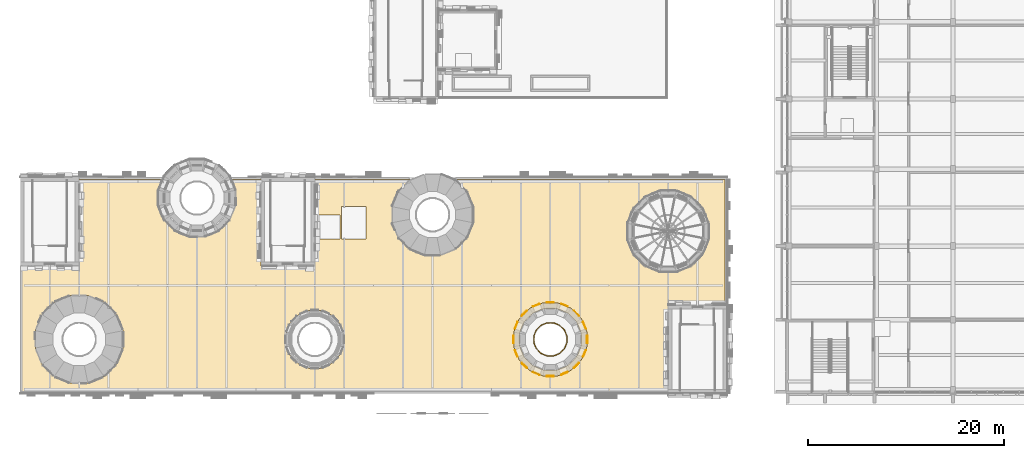
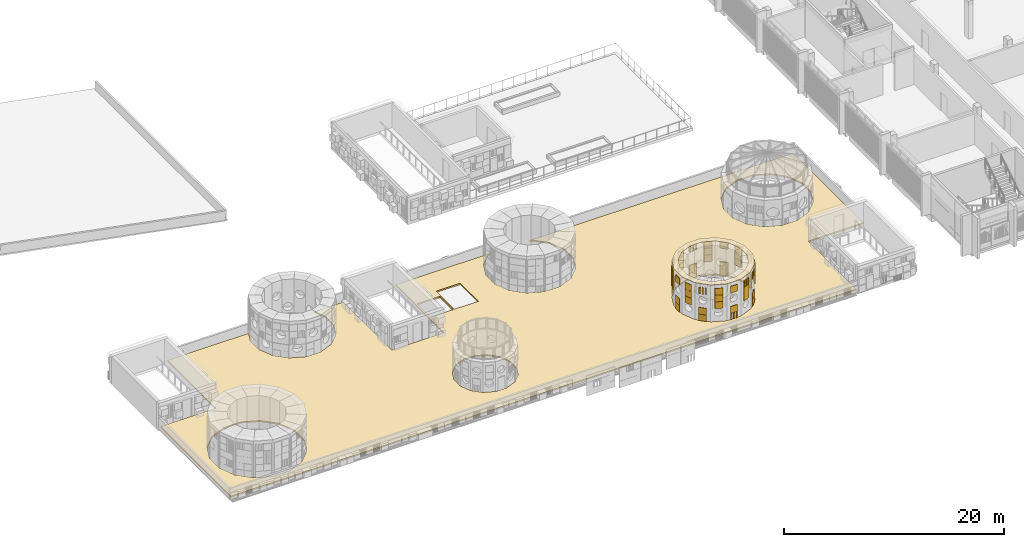
# One storey, part 76 of 98: 8 coverings, 1 railing.
"""IFC4 building model written with IfcOpenShell, lengths in metres."""

from ifc_helpers import new_model, si_unit, direction, frame, origin, origin_2d, place, context, subcontext, project, spatial, polyline, rectangle, circle, outline, extrude, material, layer, layer_set, type_object, element, save


model = new_model("IFC4")

# Units and contexts
model_context = context("Model", 3, precision=1e-05, world=origin(), true_north=direction((0.0, 1.0)))
body_context = subcontext(model_context, "Body", "Model", "MODEL_VIEW")
ifc_project = project(units=[si_unit("LENGTHUNIT", "METRE"), si_unit("AREAUNIT", "SQUARE_METRE"), si_unit("VOLUMEUNIT", "CUBIC_METRE"), si_unit("PLANEANGLEUNIT", "RADIAN"), si_unit("MASSUNIT", "GRAM", prefix="KILO")], contexts=[model_context])

# Site, building, storey
site_placement = place(None, origin())
site = spatial("IfcSite", under=ifc_project, at=site_placement, CompositionType="ELEMENT")
building_placement = place(site_placement, origin())
building = spatial("IfcBuilding", under=site, at=building_placement, Name="Sun Court Science Centre", CompositionType="ELEMENT")
storey_placement = place(building_placement, frame((0.0, 0.0, 15.75)))
storey = spatial("IfcBuildingStorey", under=building, at=storey_placement, Name="L03", CompositionType="ELEMENT", Elevation=15.75)

# Covering
ifc_material_1 = material(Name="Green roof substrate")
ifc_layer_1 = layer(ifc_material_1, 0.14990234375)
ifc_layer_set_1 = layer_set([ifc_layer_1], Name="Green roof substrate")
covering_type_1 = type_object("IfcCoveringType", Name="Green roof build-up 150", PredefinedType="ROOFING", material=ifc_layer_set_1)
covering_1_placement = place(storey_placement, origin())
element("IfcCovering", 1, at=covering_1_placement, inside=storey, type_object=covering_type_1, Name="Green roof, maintenance access only", PredefinedType="ROOFING", context=body_context, shape_type="SweptSolid", body=[
    extrude(outline(polyline([(71.800048828125, 27.800048828125), (71.800048828125, 15.0), (66.0, 15.0), (66.0, 6.199951171875), (0.199951171875, 6.199951171875), (0.199951171875, 19.0), (6.0, 19.0), (6.0, 27.800048828125), (14.54052734375, 27.800048828125), (14.076904296875, 26.680419921875), (14.076904296875, 25.11962890625), (14.674072265625, 23.677734375), (15.77783203125, 22.57421875), (17.2197265625, 21.976806640625), (18.7802734375, 21.976806640625), (20.22216796875, 22.57421875), (21.325927734375, 23.677734375), (21.923095703125, 25.11962890625), (21.923095703125, 26.680419921875), (21.45947265625, 27.800048828125), (24.5, 27.800048828125), (24.5, 19.0), (30.0, 19.0), (30.0, 27.800048828125), (39.927001953125, 27.800048828125), (39.66650390625, 27.692138671875), (38.5078125, 26.533447265625), (37.880615234375, 25.019287109375), (37.880615234375, 23.380615234375), (38.5078125, 21.86669921875), (39.66650390625, 20.707763671875), (41.1806640625, 20.080810546875), (42.8193359375, 20.080810546875), (44.33349609375, 20.707763671875), (45.4921875, 21.86669921875), (46.119384765625, 23.380615234375), (46.119384765625, 25.019287109375), (45.4921875, 26.533447265625), (44.33349609375, 27.692138671875), (44.072998046875, 27.800048828125), (71.800048828125, 27.800048828125)]), holes=[polyline([(9.783203125, 8.97216796875), (10.462646484375, 10.6123046875), (10.462646484375, 12.3876953125), (9.783203125, 14.02783203125), (8.52783203125, 15.283203125), (6.8876953125, 15.962646484375), (5.1123046875, 15.962646484375), (3.47216796875, 15.283203125), (2.216796875, 14.02783203125), (1.537353515625, 12.3876953125), (1.537353515625, 10.6123046875), (2.216796875, 8.97216796875), (3.47216796875, 7.716796875), (5.1123046875, 7.037353515625), (6.8876953125, 7.037353515625), (8.52783203125, 7.716796875), (9.783203125, 8.97216796875)]), polyline([(32.494384765625, 9.833251953125), (32.9423828125, 10.914794921875), (32.9423828125, 12.085205078125), (32.494384765625, 13.166748046875), (31.666748046875, 13.994384765625), (30.585205078125, 14.4423828125), (29.414794921875, 14.4423828125), (28.333251953125, 13.994384765625), (27.505615234375, 13.166748046875), (27.0576171875, 12.085205078125), (27.0576171875, 10.914794921875), (27.505615234375, 9.833251953125), (28.333251953125, 9.005615234375), (29.414794921875, 8.5576171875), (30.585205078125, 8.5576171875), (31.666748046875, 9.005615234375), (32.494384765625, 9.833251953125)]), polyline([(32.572509765625, 24.172607421875), (30.1474609375, 24.172607421875), (30.1474609375, 21.74755859375), (32.572509765625, 21.74755859375), (32.572509765625, 24.172607421875)]), polyline([(56.111083984375, 8.34033203125), (57.15966796875, 9.388916015625), (57.72705078125, 10.758544921875), (57.72705078125, 12.241455078125), (57.15966796875, 13.611083984375), (56.111083984375, 14.65966796875), (54.741455078125, 15.22705078125), (53.258544921875, 15.22705078125), (51.888916015625, 14.65966796875), (50.84033203125, 13.611083984375), (50.27294921875, 12.241455078125), (50.27294921875, 10.758544921875), (50.84033203125, 9.388916015625), (51.888916015625, 8.34033203125), (53.258544921875, 7.77294921875), (54.741455078125, 7.77294921875), (56.111083984375, 8.34033203125)]), polyline([(69.4921875, 20.16650390625), (70.119384765625, 21.6806640625), (70.119384765625, 23.3193359375), (69.4921875, 24.83349609375), (68.33349609375, 25.9921875), (66.8193359375, 26.619384765625), (65.1806640625, 26.619384765625), (63.66650390625, 25.9921875), (62.5078125, 24.83349609375), (61.880615234375, 23.3193359375), (61.880615234375, 21.6806640625), (62.5078125, 20.16650390625), (63.66650390625, 19.0078125), (65.1806640625, 18.380615234375), (66.8193359375, 18.380615234375), (68.33349609375, 19.0078125), (69.4921875, 20.16650390625)]), polyline([(35.199951171875, 21.75), (35.199951171875, 25.050048828125), (32.699951171875, 25.050048828125), (32.699951171875, 21.75), (35.199951171875, 21.75)])]), origin(), (0.0, 0.0, 1.0), 0.14990234375),
])

# Railing
ifc_material_2 = material(Name="Steel S275", Category="steel")
railing_type = type_object("IfcRailingType", Name="Guard 1100 well balustrade", PredefinedType="GUARDRAIL", material=ifc_material_2)
railing_placement = place(storey_placement, frame((55.68701171875, 11.83544921875, 0.110107421875)))
element("IfcRailing", 2, at=railing_placement, inside=storey, type_object=railing_type, Name="C5 well guard L03", PredefinedType="GUARDRAIL", context=body_context, shape_type="SweptSolid", body=[
    extrude(circle(Radius=0.02392578125, at=origin_2d()), frame((0.0, 0.0, 1.076171875), z_axis=(-0.382651625058, 0.923892706888, 0.0), x_axis=(-0.923892706888, -0.382651625058, 0.0)), (0.0, 0.0, 1.0), 0.671142578125),
    extrude(circle(Radius=0.02392578125, at=origin_2d()), frame((-0.2568359375, 0.6201171875, 1.076171875), z_axis=(-0.707106781187, 0.707106781187, 0.0), x_axis=(-0.707106781187, -0.707106781187, 0.0)), (0.0, 0.0, 1.0), 0.671142578125),
    extrude(circle(Radius=0.02392578125, at=origin_2d()), frame((-0.7314453125, 1.0947265625, 1.076171875), z_axis=(-0.923892706888, 0.382651625058, 0.0), x_axis=(-0.382651625058, -0.923892706888, 0.0)), (0.0, 0.0, 1.0), 0.671142578125),
    extrude(circle(Radius=0.02392578125, at=origin_2d()), frame((-1.3515625, 1.3515625, 1.076171875), z_axis=(-1.0, 0.0, 0.0), x_axis=(0.0, -1.0, 0.0)), (0.0, 0.0, 1.0), 0.6708984375),
    extrude(circle(Radius=0.02392578125, at=origin_2d()), frame((-2.0224609375, 1.3515625, 1.076171875), z_axis=(-0.923892706888, -0.382651625058, 0.0), x_axis=(0.382651625058, -0.923892706888, 0.0)), (0.0, 0.0, 1.0), 0.671142578125),
    extrude(circle(Radius=0.02392578125, at=origin_2d()), frame((-2.642578125, 1.0947265625, 1.076171875), z_axis=(-0.707106781187, -0.707106781187, 0.0), x_axis=(0.707106781187, -0.707106781187, 0.0)), (0.0, 0.0, 1.0), 0.671142578125),
    extrude(circle(Radius=0.02392578125, at=origin_2d()), frame((-3.1171875, 0.6201171875, 1.076171875), z_axis=(-0.382651625058, -0.923892706888, 0.0), x_axis=(0.923892706888, -0.382651625058, 0.0)), (0.0, 0.0, 1.0), 0.671142578125),
    extrude(circle(Radius=0.02392578125, at=origin_2d()), frame((-3.3740234375, 0.0, 1.076171875), z_axis=(0.0, -1.0, 0.0), x_axis=(1.0, 0.0, 0.0)), (0.0, 0.0, 1.0), 0.6708984375),
    extrude(circle(Radius=0.02392578125, at=origin_2d()), frame((-3.3740234375, -0.6708984375, 1.076171875), z_axis=(0.382651625058, -0.923892706888, 0.0), x_axis=(0.923892706888, 0.382651625058, 0.0)), (0.0, 0.0, 1.0), 0.671142578125),
    extrude(circle(Radius=0.02392578125, at=origin_2d()), frame((-3.1171875, -1.291015625, 1.076171875), z_axis=(0.707106781187, -0.707106781187, 0.0), x_axis=(0.707106781187, 0.707106781187, 0.0)), (0.0, 0.0, 1.0), 0.671142578125),
    extrude(circle(Radius=0.02392578125, at=origin_2d()), frame((-2.642578125, -1.765625, 1.076171875), z_axis=(0.923892706888, -0.382651625058, 0.0), x_axis=(0.382651625058, 0.923892706888, 0.0)), (0.0, 0.0, 1.0), 0.671142578125),
    extrude(circle(Radius=0.02392578125, at=origin_2d()), frame((-2.0224609375, -2.0224609375, 1.076171875), z_axis=(1.0, 0.0, 0.0), x_axis=(0.0, 1.0, 0.0)), (0.0, 0.0, 1.0), 0.6708984375),
    extrude(circle(Radius=0.02392578125, at=origin_2d()), frame((-1.3515625, -2.0224609375, 1.076171875), z_axis=(0.923892706888, 0.382651625058, 0.0), x_axis=(-0.382651625058, 0.923892706888, 0.0)), (0.0, 0.0, 1.0), 0.671142578125),
    extrude(circle(Radius=0.02392578125, at=origin_2d()), frame((-0.7314453125, -1.765625, 1.076171875), z_axis=(0.707106781187, 0.707106781187, 0.0), x_axis=(-0.707106781187, 0.707106781187, 0.0)), (0.0, 0.0, 1.0), 0.671142578125),
    extrude(circle(Radius=0.02392578125, at=origin_2d()), frame((-0.2568359375, -1.291015625, 1.076171875), z_axis=(0.382651625058, 0.923892706888, 0.0), x_axis=(-0.923892706888, 0.382651625058, 0.0)), (0.0, 0.0, 1.0), 0.671142578125),
    extrude(circle(Radius=0.02392578125, at=origin_2d()), frame((0.0, -0.6708984375, 1.076171875), z_axis=(0.0, 1.0, 0.0), x_axis=(-1.0, 0.0, 0.0)), (0.0, 0.0, 1.0), 0.6708984375),
    extrude(circle(Radius=0.02099609375, at=origin_2d()), origin(), (0.0, 0.0, 1.0), 1.052001953125),
    extrude(circle(Radius=0.02099609375, at=origin_2d()), frame((-0.2568359375, 0.6201171875, 0.0)), (0.0, 0.0, 1.0), 1.052001953125),
    extrude(circle(Radius=0.02099609375, at=origin_2d()), frame((-0.7314453125, 1.0947265625, 0.0)), (0.0, 0.0, 1.0), 1.052001953125),
    extrude(circle(Radius=0.02099609375, at=origin_2d()), frame((-1.3515625, 1.3515625, 0.0)), (0.0, 0.0, 1.0), 1.052001953125),
    extrude(circle(Radius=0.02099609375, at=origin_2d()), frame((-2.0224609375, 1.3515625, 0.0)), (0.0, 0.0, 1.0), 1.052001953125),
    extrude(circle(Radius=0.02099609375, at=origin_2d()), frame((-2.642578125, 1.0947265625, 0.0)), (0.0, 0.0, 1.0), 1.052001953125),
    extrude(circle(Radius=0.02099609375, at=origin_2d()), frame((-3.1171875, 0.6201171875, 0.0)), (0.0, 0.0, 1.0), 1.052001953125),
    extrude(circle(Radius=0.02099609375, at=origin_2d()), frame((-3.3740234375, 0.0, 0.0)), (0.0, 0.0, 1.0), 1.052001953125),
    extrude(circle(Radius=0.02099609375, at=origin_2d()), frame((-3.3740234375, -0.6708984375, 0.0)), (0.0, 0.0, 1.0), 1.052001953125),
    extrude(circle(Radius=0.02099609375, at=origin_2d()), frame((-3.1171875, -1.291015625, 0.0)), (0.0, 0.0, 1.0), 1.052001953125),
    extrude(circle(Radius=0.02099609375, at=origin_2d()), frame((-2.642578125, -1.765625, 0.0)), (0.0, 0.0, 1.0), 1.052001953125),
    extrude(circle(Radius=0.02099609375, at=origin_2d()), frame((-2.0224609375, -2.0224609375, 0.0)), (0.0, 0.0, 1.0), 1.052001953125),
    extrude(circle(Radius=0.02099609375, at=origin_2d()), frame((-1.3515625, -2.0224609375, 0.0)), (0.0, 0.0, 1.0), 1.052001953125),
    extrude(circle(Radius=0.02099609375, at=origin_2d()), frame((-0.7314453125, -1.765625, 0.0)), (0.0, 0.0, 1.0), 1.052001953125),
    extrude(circle(Radius=0.02099609375, at=origin_2d()), frame((-0.2568359375, -1.291015625, 0.0)), (0.0, 0.0, 1.0), 1.052001953125),
    extrude(circle(Radius=0.02099609375, at=origin_2d()), frame((0.0, -0.6708984375, 0.0)), (0.0, 0.0, 1.0), 1.052001953125),
])

# Coverings
ifc_material_3 = material(Name="Red sandstone", Category="masonry")
ifc_layer_2 = layer(ifc_material_3, 0.050048828125)
ifc_layer_set_2 = layer_set([ifc_layer_2], Name="Red sandstone")
covering_type_2 = type_object("IfcCoveringType", Name="Red sandstone coping 50", PredefinedType="CLADDING", material=ifc_layer_set_2)
covering_2_placement = place(storey_placement, frame((0.0, 0.0, 4.199951171875)))
element("IfcCovering", 3, at=covering_2_placement, inside=storey, type_object=covering_type_2, Name="Sandstone coping of drum ledge cone 5 4", PredefinedType="CLADDING", context=body_context, shape_type="SweptSolid", body=[
    extrude(outline(polyline([(57.72705078125, 12.241455078125), (57.15966796875, 13.611083984375), (56.111083984375, 14.65966796875), (54.741455078125, 15.22705078125), (53.258544921875, 15.22705078125), (51.888916015625, 14.65966796875), (50.84033203125, 13.611083984375), (50.27294921875, 12.241455078125), (50.27294921875, 10.758544921875), (50.84033203125, 9.388916015625), (51.888916015625, 8.34033203125), (53.258544921875, 7.77294921875), (54.741455078125, 7.77294921875), (56.111083984375, 8.34033203125), (57.15966796875, 9.388916015625), (57.72705078125, 10.758544921875), (57.72705078125, 12.241455078125)]), holes=[polyline([(57.138427734375, 12.124267578125), (56.66064453125, 13.27783203125), (55.77783203125, 14.16064453125), (54.624267578125, 14.638427734375), (53.375732421875, 14.638427734375), (52.22216796875, 14.16064453125), (51.33935546875, 13.27783203125), (50.861572265625, 12.124267578125), (50.861572265625, 10.875732421875), (51.33935546875, 9.72216796875), (52.22216796875, 8.83935546875), (53.375732421875, 8.361572265625), (54.624267578125, 8.361572265625), (55.77783203125, 8.83935546875), (56.66064453125, 9.72216796875), (57.138427734375, 10.875732421875), (57.138427734375, 12.124267578125)])]), origin(), (0.0, 0.0, 1.0), 0.050048828125),
])
ifc_material_4 = material(Name="Terracotta jali", Category="masonry")
ifc_layer_3 = layer(ifc_material_4, 0.06005859375)
ifc_layer_set_3 = layer_set([ifc_layer_3], Name="Terracotta jali")
covering_type_3 = type_object("IfcCoveringType", Name="Terracotta open jali panel", PredefinedType="CLADDING", material=ifc_layer_set_3)
covering_3_placement = place(storey_placement, frame((0.0, 0.0, -15.75)))
element("IfcCovering", 4, at=covering_3_placement, inside=storey, type_object=covering_type_3, Name="Open jali pixel cladding cone 5 L03", PredefinedType="CLADDING", context=body_context, shape_type="SweptSolid", body=[
    extrude(rectangle(XDim=0.139892578125, YDim=0.06005859375, at=origin_2d()), frame((53.699951171875, 15.257080078125, 18.865234375), z_axis=(0.0, 0.0, 1.0), x_axis=(1.0, 0.0, 0.0)), (0.0, 0.0, 1.0), 0.739990234375),
    extrude(rectangle(XDim=0.139892578125, YDim=0.06005859375, at=origin_2d()), frame((54.0, 15.257080078125, 18.865234375), z_axis=(0.0, 0.0, 1.0), x_axis=(1.0, 0.0, 0.0)), (0.0, 0.0, 1.0), 0.739990234375),
    extrude(rectangle(XDim=0.139892578125, YDim=0.06005859375, at=origin_2d()), frame((54.300048828125, 15.257080078125, 18.865234375), z_axis=(0.0, 0.0, 1.0), x_axis=(1.0, 0.0, 0.0)), (0.0, 0.0, 1.0), 0.739990234375),
    extrude(rectangle(XDim=0.139892578125, YDim=0.06005859375, at=origin_2d()), frame((51.13134765625, 13.9443359375, 16.615234375), z_axis=(0.0, 0.0, 1.0), x_axis=(0.707106781187, 0.707106781187, 0.0)), (0.0, 0.0, 1.0), 0.739990234375),
    extrude(rectangle(XDim=0.139892578125, YDim=0.06005859375, at=origin_2d()), frame((51.343505859375, 14.156494140625, 16.615234375), z_axis=(0.0, 0.0, 1.0), x_axis=(0.707106781187, 0.707106781187, 0.0)), (0.0, 0.0, 1.0), 0.739990234375),
    extrude(rectangle(XDim=0.139892578125, YDim=0.06005859375, at=origin_2d()), frame((51.5556640625, 14.36865234375, 16.615234375), z_axis=(0.0, 0.0, 1.0), x_axis=(0.707106781187, 0.707106781187, 0.0)), (0.0, 0.0, 1.0), 0.739990234375),
    extrude(rectangle(XDim=0.139892578125, YDim=0.06005859375, at=origin_2d()), frame((51.13134765625, 13.9443359375, 18.865234375), z_axis=(0.0, 0.0, 1.0), x_axis=(0.707106781187, 0.707106781187, 0.0)), (0.0, 0.0, 1.0), 0.739990234375),
    extrude(rectangle(XDim=0.139892578125, YDim=0.06005859375, at=origin_2d()), frame((51.343505859375, 14.156494140625, 18.865234375), z_axis=(0.0, 0.0, 1.0), x_axis=(0.707106781187, 0.707106781187, 0.0)), (0.0, 0.0, 1.0), 0.739990234375),
    extrude(rectangle(XDim=0.139892578125, YDim=0.06005859375, at=origin_2d()), frame((51.5556640625, 14.36865234375, 18.865234375), z_axis=(0.0, 0.0, 1.0), x_axis=(0.707106781187, 0.707106781187, 0.0)), (0.0, 0.0, 1.0), 0.739990234375),
    extrude(rectangle(XDim=0.139892578125, YDim=0.06005859375, at=origin_2d()), frame((51.5556640625, 8.63134765625, 18.865234375), z_axis=(0.0, 0.0, 1.0), x_axis=(-0.707106781187, 0.707106781187, 0.0)), (0.0, 0.0, 1.0), 0.739990234375),
    extrude(rectangle(XDim=0.139892578125, YDim=0.06005859375, at=origin_2d()), frame((51.343505859375, 8.843505859375, 18.865234375), z_axis=(0.0, 0.0, 1.0), x_axis=(-0.707106781187, 0.707106781187, 0.0)), (0.0, 0.0, 1.0), 0.739990234375),
    extrude(rectangle(XDim=0.139892578125, YDim=0.06005859375, at=origin_2d()), frame((51.13134765625, 9.0556640625, 18.865234375), z_axis=(0.0, 0.0, 1.0), x_axis=(-0.707106781187, 0.707106781187, 0.0)), (0.0, 0.0, 1.0), 0.739990234375),
    extrude(rectangle(XDim=0.139892578125, YDim=0.06005859375, at=origin_2d()), frame((54.300048828125, 7.742919921875, 15.865234375), z_axis=(0.0, 0.0, 1.0), x_axis=(-1.0, 0.0, 0.0)), (0.0, 0.0, 1.0), 0.739990234375),
    extrude(rectangle(XDim=0.139892578125, YDim=0.06005859375, at=origin_2d()), frame((54.0, 7.742919921875, 15.865234375), z_axis=(0.0, 0.0, 1.0), x_axis=(-1.0, 0.0, 0.0)), (0.0, 0.0, 1.0), 0.739990234375),
    extrude(rectangle(XDim=0.139892578125, YDim=0.06005859375, at=origin_2d()), frame((53.699951171875, 7.742919921875, 15.865234375), z_axis=(0.0, 0.0, 1.0), x_axis=(-1.0, 0.0, 0.0)), (0.0, 0.0, 1.0), 0.739990234375),
    extrude(rectangle(XDim=0.139892578125, YDim=0.06005859375, at=origin_2d()), frame((55.71484375, 8.143798828125, 18.865234375), z_axis=(0.0, 0.0, 1.0), x_axis=(-0.923879532511, -0.382683432365, 0.0)), (0.0, 0.0, 1.0), 0.739990234375),
    extrude(rectangle(XDim=0.139892578125, YDim=0.06005859375, at=origin_2d()), frame((55.437744140625, 8.029052734375, 18.865234375), z_axis=(0.0, 0.0, 1.0), x_axis=(-0.923879532511, -0.382683432365, 0.0)), (0.0, 0.0, 1.0), 0.739990234375),
    extrude(rectangle(XDim=0.139892578125, YDim=0.06005859375, at=origin_2d()), frame((55.16064453125, 7.914306640625, 18.865234375), z_axis=(0.0, 0.0, 1.0), x_axis=(-0.923879532511, -0.382683432365, 0.0)), (0.0, 0.0, 1.0), 0.739990234375),
    extrude(rectangle(XDim=0.139892578125, YDim=0.06005859375, at=origin_2d()), frame((56.86865234375, 9.0556640625, 18.865234375), z_axis=(0.0, 0.0, 1.0), x_axis=(-0.707106781187, -0.707106781187, 0.0)), (0.0, 0.0, 1.0), 0.739990234375),
    extrude(rectangle(XDim=0.139892578125, YDim=0.06005859375, at=origin_2d()), frame((56.656494140625, 8.843505859375, 18.865234375), z_axis=(0.0, 0.0, 1.0), x_axis=(-0.707106781187, -0.707106781187, 0.0)), (0.0, 0.0, 1.0), 0.739990234375),
    extrude(rectangle(XDim=0.139892578125, YDim=0.06005859375, at=origin_2d()), frame((56.4443359375, 8.63134765625, 18.865234375), z_axis=(0.0, 0.0, 1.0), x_axis=(-0.707106781187, -0.707106781187, 0.0)), (0.0, 0.0, 1.0), 0.739990234375),
])
ifc_material_5 = material(Name="Terracotta shade 1", Category="masonry")
ifc_layer_4 = layer(ifc_material_5, 0.06005859375)
ifc_layer_set_4 = layer_set([ifc_layer_4], Name="Terracotta shade 1")
covering_type_4 = type_object("IfcCoveringType", Name="Terracotta pixel panel shade 1", PredefinedType="CLADDING", material=ifc_layer_set_4)
covering_4_placement = place(storey_placement, frame((0.0, 0.0, -15.75)))
element("IfcCovering", 5, at=covering_4_placement, inside=storey, type_object=covering_type_4, Name="Terracotta pixel cladding shade 1 cone 5 L03", PredefinedType="CLADDING", context=body_context, shape_type="SweptSolid", body=[
    extrude(rectangle(XDim=0.739990234375, YDim=0.06005859375, at=origin_2d()), frame((52.562255859375, 14.970947265625, 17.365234375), z_axis=(0.0, 0.0, 1.0), x_axis=(0.923879532511, 0.382683432365, 0.0)), (0.0, 0.0, 1.0), 0.739990234375),
    extrude(rectangle(XDim=0.739990234375, YDim=0.06005859375, at=origin_2d()), frame((52.562255859375, 14.970947265625, 18.865234375), z_axis=(0.0, 0.0, 1.0), x_axis=(0.923879532511, 0.382683432365, 0.0)), (0.0, 0.0, 1.0), 0.739990234375),
    extrude(rectangle(XDim=0.739990234375, YDim=0.06005859375, at=origin_2d()), frame((51.343505859375, 14.156494140625, 15.865234375), z_axis=(0.0, 0.0, 1.0), x_axis=(0.707106781187, 0.707106781187, 0.0)), (0.0, 0.0, 1.0), 0.739990234375),
    extrude(rectangle(XDim=0.739990234375, YDim=0.06005859375, at=origin_2d()), frame((50.529052734375, 12.937744140625, 18.115234375), z_axis=(0.0, 0.0, 1.0), x_axis=(0.382683432365, 0.923879532511, 0.0)), (0.0, 0.0, 1.0), 0.739990234375),
    extrude(rectangle(XDim=0.739990234375, YDim=0.06005859375, at=origin_2d()), frame((50.529052734375, 12.937744140625, 18.865234375), z_axis=(0.0, 0.0, 1.0), x_axis=(0.382683432365, 0.923879532511, 0.0)), (0.0, 0.0, 1.0), 0.739990234375),
    extrude(rectangle(XDim=0.739990234375, YDim=0.06005859375, at=origin_2d()), frame((50.242919921875, 11.5, 15.865234375), z_axis=(0.0, 0.0, 1.0), x_axis=(0.0, 1.0, 0.0)), (0.0, 0.0, 1.0), 0.739990234375),
    extrude(rectangle(XDim=0.739990234375, YDim=0.06005859375, at=origin_2d()), frame((50.529052734375, 10.062255859375, 18.115234375), z_axis=(0.0, 0.0, 1.0), x_axis=(-0.382683432365, 0.923879532511, 0.0)), (0.0, 0.0, 1.0), 0.739990234375),
    extrude(rectangle(XDim=0.739990234375, YDim=0.06005859375, at=origin_2d()), frame((50.529052734375, 10.062255859375, 18.865234375), z_axis=(0.0, 0.0, 1.0), x_axis=(-0.382683432365, 0.923879532511, 0.0)), (0.0, 0.0, 1.0), 0.739990234375),
    extrude(rectangle(XDim=0.739990234375, YDim=0.06005859375, at=origin_2d()), frame((51.343505859375, 8.843505859375, 15.865234375), z_axis=(0.0, 0.0, 1.0), x_axis=(-0.707106781187, 0.707106781187, 0.0)), (0.0, 0.0, 1.0), 0.739990234375),
    extrude(rectangle(XDim=0.739990234375, YDim=0.06005859375, at=origin_2d()), frame((54.0, 7.742919921875, 16.615234375), z_axis=(0.0, 0.0, 1.0), x_axis=(-1.0, 0.0, 0.0)), (0.0, 0.0, 1.0), 0.739990234375),
    extrude(rectangle(XDim=0.739990234375, YDim=0.06005859375, at=origin_2d()), frame((57.470947265625, 10.062255859375, 18.865234375), z_axis=(0.0, 0.0, 1.0), x_axis=(-0.382683432365, -0.923879532511, 0.0)), (0.0, 0.0, 1.0), 0.739990234375),
    extrude(rectangle(XDim=0.739990234375, YDim=0.06005859375, at=origin_2d()), frame((57.757080078125, 11.5, 16.615234375), z_axis=(0.0, 0.0, 1.0), x_axis=(0.0, -1.0, 0.0)), (0.0, 0.0, 1.0), 0.739990234375),
    extrude(rectangle(XDim=0.739990234375, YDim=0.06005859375, at=origin_2d()), frame((57.757080078125, 11.5, 18.865234375), z_axis=(0.0, 0.0, 1.0), x_axis=(0.0, -1.0, 0.0)), (0.0, 0.0, 1.0), 0.739990234375),
])
ifc_material_6 = material(Name="Terracotta shade 2", Category="masonry")
ifc_layer_5 = layer(ifc_material_6, 0.06005859375)
ifc_layer_set_5 = layer_set([ifc_layer_5], Name="Terracotta shade 2")
covering_type_5 = type_object("IfcCoveringType", Name="Terracotta pixel panel shade 2", PredefinedType="CLADDING", material=ifc_layer_set_5)
covering_5_placement = place(storey_placement, frame((0.0, 0.0, -15.75)))
element("IfcCovering", 6, at=covering_5_placement, inside=storey, type_object=covering_type_5, Name="Terracotta pixel cladding shade 2 cone 5 L03", PredefinedType="CLADDING", context=body_context, shape_type="SweptSolid", body=[
    extrude(rectangle(XDim=0.739990234375, YDim=0.06005859375, at=origin_2d()), frame((56.656494140625, 14.156494140625, 15.865234375), z_axis=(0.0, 0.0, 1.0), x_axis=(0.707106781187, -0.707106781187, 0.0)), (0.0, 0.0, 1.0), 0.739990234375),
    extrude(rectangle(XDim=0.739990234375, YDim=0.06005859375, at=origin_2d()), frame((56.656494140625, 14.156494140625, 16.615234375), z_axis=(0.0, 0.0, 1.0), x_axis=(0.707106781187, -0.707106781187, 0.0)), (0.0, 0.0, 1.0), 0.739990234375),
    extrude(rectangle(XDim=0.739990234375, YDim=0.06005859375, at=origin_2d()), frame((56.656494140625, 14.156494140625, 18.865234375), z_axis=(0.0, 0.0, 1.0), x_axis=(0.707106781187, -0.707106781187, 0.0)), (0.0, 0.0, 1.0), 0.739990234375),
    extrude(rectangle(XDim=0.739990234375, YDim=0.06005859375, at=origin_2d()), frame((55.437744140625, 14.970947265625, 18.115234375), z_axis=(0.0, 0.0, 1.0), x_axis=(0.923879532511, -0.382683432365, 0.0)), (0.0, 0.0, 1.0), 0.739990234375),
    extrude(rectangle(XDim=0.739990234375, YDim=0.06005859375, at=origin_2d()), frame((50.529052734375, 12.937744140625, 17.365234375), z_axis=(0.0, 0.0, 1.0), x_axis=(0.382683432365, 0.923879532511, 0.0)), (0.0, 0.0, 1.0), 0.739990234375),
    extrude(rectangle(XDim=0.739990234375, YDim=0.06005859375, at=origin_2d()), frame((50.242919921875, 11.5, 16.615234375), z_axis=(0.0, 0.0, 1.0), x_axis=(0.0, 1.0, 0.0)), (0.0, 0.0, 1.0), 0.739990234375),
    extrude(rectangle(XDim=0.739990234375, YDim=0.06005859375, at=origin_2d()), frame((51.343505859375, 8.843505859375, 16.615234375), z_axis=(0.0, 0.0, 1.0), x_axis=(-0.707106781187, 0.707106781187, 0.0)), (0.0, 0.0, 1.0), 0.739990234375),
    extrude(rectangle(XDim=0.739990234375, YDim=0.06005859375, at=origin_2d()), frame((52.562255859375, 8.029052734375, 17.365234375), z_axis=(0.0, 0.0, 1.0), x_axis=(-0.923879532511, 0.382683432365, 0.0)), (0.0, 0.0, 1.0), 0.739990234375),
    extrude(rectangle(XDim=0.739990234375, YDim=0.06005859375, at=origin_2d()), frame((57.470947265625, 10.062255859375, 17.365234375), z_axis=(0.0, 0.0, 1.0), x_axis=(-0.382683432365, -0.923879532511, 0.0)), (0.0, 0.0, 1.0), 0.739990234375),
    extrude(rectangle(XDim=0.739990234375, YDim=0.06005859375, at=origin_2d()), frame((50.242919921875, 11.5, 18.865234375), z_axis=(0.0, 0.0, 1.0), x_axis=(0.0, 1.0, 0.0)), (0.0, 0.0, 1.0), 0.739990234375),
])
ifc_material_7 = material(Name="Terracotta shade 3", Category="masonry")
ifc_layer_6 = layer(ifc_material_7, 0.06005859375)
ifc_layer_set_6 = layer_set([ifc_layer_6], Name="Terracotta shade 3")
covering_type_6 = type_object("IfcCoveringType", Name="Terracotta pixel panel shade 3", PredefinedType="CLADDING", material=ifc_layer_set_6)
covering_6_placement = place(storey_placement, frame((0.0, 0.0, -15.75)))
element("IfcCovering", 7, at=covering_6_placement, inside=storey, type_object=covering_type_6, Name="Terracotta pixel cladding shade 3 cone 5 L03", PredefinedType="CLADDING", context=body_context, shape_type="SweptSolid", body=[
    extrude(rectangle(XDim=0.739990234375, YDim=0.06005859375, at=origin_2d()), frame((57.470947265625, 12.937744140625, 18.115234375), z_axis=(0.0, 0.0, 1.0), x_axis=(0.382683432365, -0.923879532511, 0.0)), (0.0, 0.0, 1.0), 0.739990234375),
    extrude(rectangle(XDim=0.739990234375, YDim=0.06005859375, at=origin_2d()), frame((55.437744140625, 14.970947265625, 17.365234375), z_axis=(0.0, 0.0, 1.0), x_axis=(0.923879532511, -0.382683432365, 0.0)), (0.0, 0.0, 1.0), 0.739990234375),
    extrude(rectangle(XDim=0.739990234375, YDim=0.06005859375, at=origin_2d()), frame((55.437744140625, 14.970947265625, 18.865234375), z_axis=(0.0, 0.0, 1.0), x_axis=(0.923879532511, -0.382683432365, 0.0)), (0.0, 0.0, 1.0), 0.739990234375),
    extrude(rectangle(XDim=0.739990234375, YDim=0.06005859375, at=origin_2d()), frame((54.0, 15.257080078125, 16.615234375), z_axis=(0.0, 0.0, 1.0), x_axis=(1.0, 0.0, 0.0)), (0.0, 0.0, 1.0), 0.739990234375),
    extrude(rectangle(XDim=0.739990234375, YDim=0.06005859375, at=origin_2d()), frame((52.562255859375, 14.970947265625, 18.115234375), z_axis=(0.0, 0.0, 1.0), x_axis=(0.923879532511, 0.382683432365, 0.0)), (0.0, 0.0, 1.0), 0.739990234375),
    extrude(rectangle(XDim=0.739990234375, YDim=0.06005859375, at=origin_2d()), frame((50.529052734375, 10.062255859375, 17.365234375), z_axis=(0.0, 0.0, 1.0), x_axis=(-0.382683432365, 0.923879532511, 0.0)), (0.0, 0.0, 1.0), 0.739990234375),
    extrude(rectangle(XDim=0.739990234375, YDim=0.06005859375, at=origin_2d()), frame((52.562255859375, 8.029052734375, 18.115234375), z_axis=(0.0, 0.0, 1.0), x_axis=(-0.923879532511, 0.382683432365, 0.0)), (0.0, 0.0, 1.0), 0.739990234375),
    extrude(rectangle(XDim=0.739990234375, YDim=0.06005859375, at=origin_2d()), frame((54.0, 15.257080078125, 15.865234375), z_axis=(0.0, 0.0, 1.0), x_axis=(1.0, 0.0, 0.0)), (0.0, 0.0, 1.0), 0.739990234375),
])
ifc_material_8 = material(Name="Terracotta shade 4", Category="masonry")
ifc_layer_7 = layer(ifc_material_8, 0.06005859375)
ifc_layer_set_7 = layer_set([ifc_layer_7], Name="Terracotta shade 4")
covering_type_7 = type_object("IfcCoveringType", Name="Terracotta pixel panel shade 4", PredefinedType="CLADDING", material=ifc_layer_set_7)
covering_7_placement = place(storey_placement, frame((0.0, 0.0, -15.75)))
element("IfcCovering", 8, at=covering_7_placement, inside=storey, type_object=covering_type_7, Name="Terracotta pixel cladding shade 4 cone 5 L03", PredefinedType="CLADDING", context=body_context, shape_type="SweptSolid", body=[
    extrude(rectangle(XDim=0.739990234375, YDim=0.06005859375, at=origin_2d()), frame((57.470947265625, 12.937744140625, 17.365234375), z_axis=(0.0, 0.0, 1.0), x_axis=(0.382683432365, -0.923879532511, 0.0)), (0.0, 0.0, 1.0), 0.739990234375),
    extrude(rectangle(XDim=0.739990234375, YDim=0.06005859375, at=origin_2d()), frame((54.0, 7.742919921875, 18.865234375), z_axis=(0.0, 0.0, 1.0), x_axis=(-1.0, 0.0, 0.0)), (0.0, 0.0, 1.0), 0.739990234375),
    extrude(rectangle(XDim=0.739990234375, YDim=0.06005859375, at=origin_2d()), frame((55.437744140625, 8.029052734375, 17.365234375), z_axis=(0.0, 0.0, 1.0), x_axis=(-0.923879532511, -0.382683432365, 0.0)), (0.0, 0.0, 1.0), 0.739990234375),
    extrude(rectangle(XDim=0.739990234375, YDim=0.06005859375, at=origin_2d()), frame((55.437744140625, 8.029052734375, 18.115234375), z_axis=(0.0, 0.0, 1.0), x_axis=(-0.923879532511, -0.382683432365, 0.0)), (0.0, 0.0, 1.0), 0.739990234375),
    extrude(rectangle(XDim=0.739990234375, YDim=0.06005859375, at=origin_2d()), frame((56.656494140625, 8.843505859375, 15.865234375), z_axis=(0.0, 0.0, 1.0), x_axis=(-0.707106781187, -0.707106781187, 0.0)), (0.0, 0.0, 1.0), 0.739990234375),
])
ifc_material_9 = material(Name="Terracotta shade 5", Category="masonry")
ifc_layer_8 = layer(ifc_material_9, 0.06005859375)
ifc_layer_set_8 = layer_set([ifc_layer_8], Name="Terracotta shade 5")
covering_type_8 = type_object("IfcCoveringType", Name="Terracotta pixel panel shade 5", PredefinedType="CLADDING", material=ifc_layer_set_8)
covering_8_placement = place(storey_placement, frame((0.0, 0.0, -15.75)))
element("IfcCovering", 9, at=covering_8_placement, inside=storey, type_object=covering_type_8, Name="Terracotta pixel cladding shade 5 cone 5 L03", PredefinedType="CLADDING", context=body_context, shape_type="SweptSolid", body=[
    extrude(rectangle(XDim=0.739990234375, YDim=0.06005859375, at=origin_2d()), frame((57.470947265625, 12.937744140625, 18.865234375), z_axis=(0.0, 0.0, 1.0), x_axis=(0.382683432365, -0.923879532511, 0.0)), (0.0, 0.0, 1.0), 0.739990234375),
    extrude(rectangle(XDim=0.739990234375, YDim=0.06005859375, at=origin_2d()), frame((52.562255859375, 8.029052734375, 18.865234375), z_axis=(0.0, 0.0, 1.0), x_axis=(-0.923879532511, 0.382683432365, 0.0)), (0.0, 0.0, 1.0), 0.739990234375),
    extrude(rectangle(XDim=0.739990234375, YDim=0.06005859375, at=origin_2d()), frame((56.656494140625, 8.843505859375, 16.615234375), z_axis=(0.0, 0.0, 1.0), x_axis=(-0.707106781187, -0.707106781187, 0.0)), (0.0, 0.0, 1.0), 0.739990234375),
    extrude(rectangle(XDim=0.739990234375, YDim=0.06005859375, at=origin_2d()), frame((57.470947265625, 10.062255859375, 18.115234375), z_axis=(0.0, 0.0, 1.0), x_axis=(-0.382683432365, -0.923879532511, 0.0)), (0.0, 0.0, 1.0), 0.739990234375),
    extrude(rectangle(XDim=0.739990234375, YDim=0.06005859375, at=origin_2d()), frame((57.757080078125, 11.5, 15.865234375), z_axis=(0.0, 0.0, 1.0), x_axis=(0.0, -1.0, 0.0)), (0.0, 0.0, 1.0), 0.739990234375),
])

save(model, "model.ifc")
